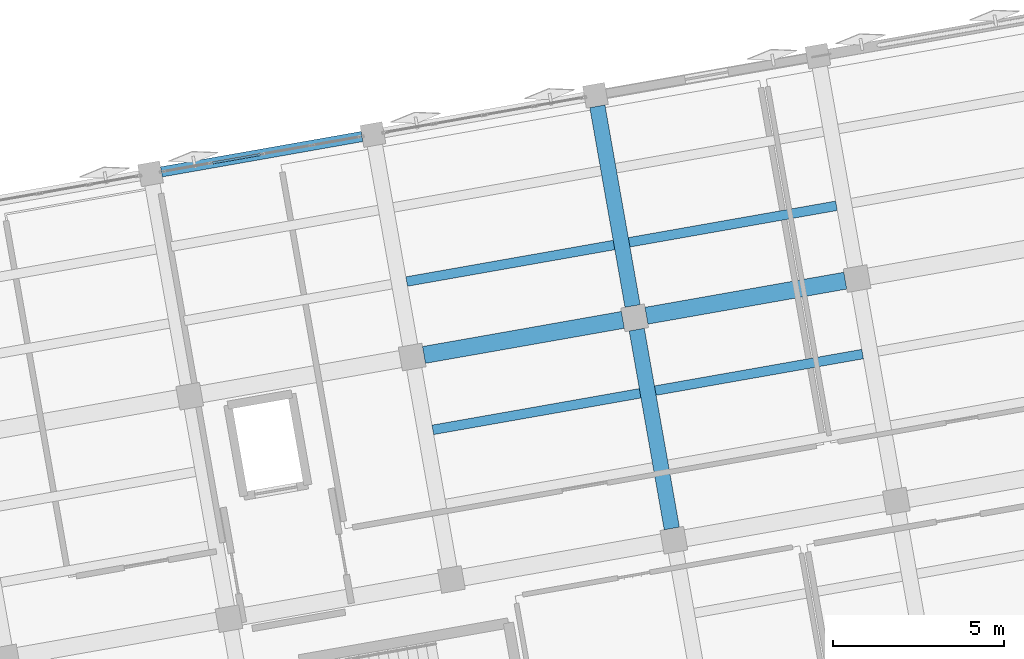
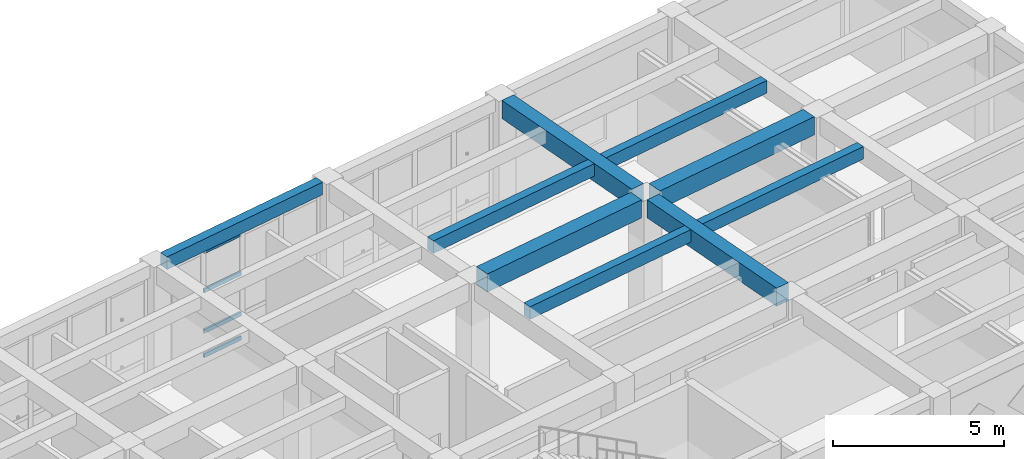
# One storey, part 17 of 67: 9 beams, 4 members, 1 element without a shape of its own.
"""IFC4 building model written with IfcOpenShell, lengths in metres."""

import ifcopenshell
import ifcopenshell.guid

model = None  # the IFC model being written
_history = None  # IfcOwnerHistory: only IFC2X3 demands one
_inside = {}  # id of a spatial element -> (the spatial element, [elements in it])
_under = {}  # id of a project, library or spatial element -> (it, [spatial elements below it])
_declared = {}  # id of a project -> (the project, [libraries it declares])
_typed = {}  # id of a type object -> (the type object, [elements of that type])
_made_of = {}  # id of a material, layer set ... -> (it, [elements and type objects made of it])


def new_model(schema):
    """Start an empty IFC model of exactly this schema.

    Asked for "IFC4X3", IfcOpenShell would pick the latest addendum, in which some entities
    have other attributes; the version numbers below select the first issue.
    IFC2X3 requires an IfcOwnerHistory on every rooted entity: one is made here for all.
    """
    global model, _history
    if schema == "IFC4X3":
        model = ifcopenshell.file(schema_version=(4, 3, 0, 0))
    else:
        model = ifcopenshell.file(schema=schema)
    _inside.clear()
    _under.clear()
    _declared.clear()
    _typed.clear()
    _made_of.clear()
    _history = None
    if model.schema == "IFC2X3":
        org = make("IfcOrganization", Name="unknown")
        user = make(
            "IfcPersonAndOrganization",
            ThePerson=make("IfcPerson", FamilyName="unknown"),
            TheOrganization=org,
        )
        app = make(
            "IfcApplication",
            ApplicationDeveloper=org,
            Version="unknown",
            ApplicationFullName="unknown",
            ApplicationIdentifier="unknown",
        )
        _history = make(
            "IfcOwnerHistory",
            OwningUser=user,
            OwningApplication=app,
            ChangeAction="ADDED",
            CreationDate=0,
        )
    return model


def make(cls, **values):
    """One entity of the class cls with the attributes given. An attribute that is None is left unset."""
    return model.create_entity(
        cls, **{name: value for name, value in values.items() if value is not None}
    )


def rooted(cls, **values):
    """An entity with a GlobalId (a new one), such as an element, a storey or a relation."""
    return make(cls, GlobalId=ifcopenshell.guid.new(), OwnerHistory=_history, **values)


def si_unit(unit_type, name, prefix=None):
    """IfcSIUnit, for example si_unit("LENGTHUNIT", "METRE", prefix="MILLI")."""
    return make("IfcSIUnit", UnitType=unit_type, Prefix=prefix, Name=name)


def assignment(units):
    """IfcUnitAssignment: the units of a project."""
    return None if units is None else make("IfcUnitAssignment", Units=units)


def point(xyz):
    """IfcCartesianPoint."""
    return None if xyz is None else make("IfcCartesianPoint", Coordinates=xyz)


def direction(xyz):
    """IfcDirection."""
    return None if xyz is None else make("IfcDirection", DirectionRatios=xyz)


def frame(location, z_axis=None, x_axis=None):
    """IfcAxis2Placement3D, a coordinate frame: its origin and axes. An axis left out is left unset."""
    return make(
        "IfcAxis2Placement3D",
        Location=point(location),
        Axis=direction(z_axis),
        RefDirection=direction(x_axis),
    )


def frame_2d(location, x_axis=None):
    """IfcAxis2Placement2D, a coordinate frame in the plane: its origin and x axis."""
    return make(
        "IfcAxis2Placement2D", Location=point(location), RefDirection=direction(x_axis)
    )


def origin():
    """The frame at (0, 0, 0) with its axes left unset."""
    return frame((0.0, 0.0, 0.0))


def origin_2d():
    """The frame at (0, 0) in the plane with its x axis left unset."""
    return frame_2d((0.0, 0.0))


def place(relative_to, where):
    """IfcLocalPlacement: puts the frame where relative to a parent placement (None: the world)."""
    return make(
        "IfcLocalPlacement", PlacementRelTo=relative_to, RelativePlacement=where
    )


def context(
    kind, dimensions, precision=None, world=None, true_north=None, identifier=None
):
    """IfcGeometricRepresentationContext, for example the 3D "Model" context."""
    return make(
        "IfcGeometricRepresentationContext",
        ContextIdentifier=identifier,
        ContextType=kind,
        CoordinateSpaceDimension=dimensions,
        Precision=precision,
        WorldCoordinateSystem=world,
        TrueNorth=true_north,
    )


def subcontext(parent, identifier, kind, view, scale=None):
    """IfcGeometricRepresentationSubContext, for example "Body" below "Model"."""
    return make(
        "IfcGeometricRepresentationSubContext",
        ContextIdentifier=identifier,
        ContextType=kind,
        ParentContext=parent,
        TargetScale=scale,
        TargetView=view,
    )


def project(units=None, contexts=None):
    """IfcProject with its units and contexts."""
    return rooted(
        "IfcProject",
        Name="project",
        RepresentationContexts=contexts,
        UnitsInContext=assignment(units),
    )


def spatial(cls, under=None, at=None, **own):
    """A site, building, storey or space (cls), placed at a placement, below another one or the project."""
    s = rooted(cls, ObjectPlacement=at, **own)
    if under is not None:
        _under.setdefault(under.id(), (under, []))[1].append(s)
    return s


def profile(cls, at=None, kind="AREA", **sizes):
    """A parametric profile (cls). Its sizes go by their IFC names, for example OverallWidth=200.0."""
    return make(cls, ProfileType=kind, Position=at, **sizes)


def rectangle(**sizes):
    """IfcRectangleProfileDef."""
    return profile("IfcRectangleProfileDef", **sizes)


def hollow_rectangle(**sizes):
    """IfcRectangleHollowProfileDef."""
    return profile("IfcRectangleHollowProfileDef", **sizes)


def extrude(swept, where, along, depth):
    """IfcExtrudedAreaSolid: the profile swept, set in the frame where, extruded along a direction by depth."""
    return make(
        "IfcExtrudedAreaSolid",
        SweptArea=swept,
        Position=where,
        ExtrudedDirection=direction(along),
        Depth=depth,
    )


def shape(context_of_items, identifier, shape_type, items):
    """IfcShapeRepresentation: the items that make up one representation, for example the "Body"."""
    return make(
        "IfcShapeRepresentation",
        ContextOfItems=context_of_items,
        RepresentationIdentifier=identifier,
        RepresentationType=shape_type,
        Items=items,
    )


def material(Name=None, Category=None):
    """IfcMaterial."""
    return make("IfcMaterial", Name=Name, Category=Category)


def layer(
    of_material, thickness, ventilated=None, Name=None, Category=None, Priority=None
):
    """IfcMaterialLayer: one layer of a wall or slab, of a material (None: an air gap)."""
    return make(
        "IfcMaterialLayer",
        Material=of_material,
        LayerThickness=thickness,
        IsVentilated=ventilated,
        Name=Name,
        Category=Category,
        Priority=Priority,
    )


def layer_set(layers, Name=None):
    """IfcMaterialLayerSet."""
    return make("IfcMaterialLayerSet", MaterialLayers=layers, LayerSetName=Name)


def material_profile(
    of_material, cross_section, Name=None, Category=None, Priority=None
):
    """IfcMaterialProfile: a cross section and its material."""
    return make(
        "IfcMaterialProfile",
        Name=Name,
        Material=of_material,
        Profile=cross_section,
        Priority=Priority,
        Category=Category,
    )


def profile_set(profiles, Name=None, composite=None):
    """IfcMaterialProfileSet."""
    return make(
        "IfcMaterialProfileSet",
        Name=Name,
        MaterialProfiles=profiles,
        CompositeProfile=composite,
    )


def made_of(thing, what):
    """Note that an element or type object is made of a material, layer set ...; save() writes the relation."""
    if what is not None:
        _made_of.setdefault(what.id(), (what, []))[1].append(thing)
    return thing


def type_object(cls, material=None, **own):
    """A type object (cls), such as IfcWallType, which elements share."""
    return made_of(rooted(cls, **own), material)


def element(
    cls,
    number,
    at=None,
    inside=None,
    cuts=None,
    type_object=None,
    material=None,
    context=None,
    identifier="Body",
    shape_type=None,
    held_by="IfcProductDefinitionShape",
    body=None,
    shapes=None,
    **own,
):
    """One element of the class cls, such as IfcWall. Its Tag is "e" and its number.

    at: its placement. inside: the storey or other place that contains it. cuts: it is an
    opening in that element (IfcRelVoidsElement). A single representation is given by context,
    identifier, shape_type and body (its items); several are given by shapes. held_by: the class
    of the entity that holds the representations. save() writes the other relations.
    """
    e = rooted(cls, Tag="e%d" % number, ObjectPlacement=at, **own)
    if body is not None:
        shapes = [shape(context, identifier, shape_type, body)]
    if shapes is not None:
        e.Representation = make(held_by, Representations=shapes)
    if inside is not None:
        _inside.setdefault(inside.id(), (inside, []))[1].append(e)
    if cuts is not None:
        rooted(
            "IfcRelVoidsElement", RelatingBuildingElement=cuts, RelatedOpeningElement=e
        )
    if type_object is not None:
        _typed.setdefault(type_object.id(), (type_object, []))[1].append(e)
    return made_of(e, material)


def aggregate(whole, parts):
    """IfcRelAggregates: a whole, such as a stair, and the parts it consists of."""
    return rooted("IfcRelAggregates", RelatingObject=whole, RelatedObjects=parts)


def save(model, path):
    """Write the relations noted so far, then the file.

    IfcRelAggregates (storeys below a building ...), IfcRelContainedInSpatialStructure (elements
    in a storey), IfcRelDefinesByType, IfcRelAssociatesMaterial and IfcRelDeclares: one each for
    every whole, place, type object, material and project.
    """
    for whole, parts in _under.values():
        aggregate(whole, parts)
    for where, things in _inside.values():
        rooted(
            "IfcRelContainedInSpatialStructure",
            RelatedElements=things,
            RelatingStructure=where,
        )
    for kind, things in _typed.values():
        rooted("IfcRelDefinesByType", RelatedObjects=things, RelatingType=kind)
    for what, things in _made_of.values():
        rooted("IfcRelAssociatesMaterial", RelatedObjects=things, RelatingMaterial=what)
    for by, libraries in _declared.values():
        rooted("IfcRelDeclares", RelatingContext=by, RelatedDefinitions=libraries)
    model.write(path)


model = new_model("IFC4")

# Units and contexts
model_context = context("Model", 3, precision=1e-05, world=origin(), true_north=direction((0.0, 1.0)))
body_context = subcontext(model_context, "Body", "Model", "MODEL_VIEW")
ifc_project = project(units=[si_unit("LENGTHUNIT", "METRE"), si_unit("AREAUNIT", "SQUARE_METRE"), si_unit("VOLUMEUNIT", "CUBIC_METRE"), si_unit("PLANEANGLEUNIT", "RADIAN"), si_unit("MASSUNIT", "GRAM", prefix="KILO")], contexts=[model_context])

# Site, building, storey
site_placement = place(None, origin())
site = spatial("IfcSite", under=ifc_project, at=site_placement, CompositionType="ELEMENT")
building_placement = place(site_placement, origin())
building = spatial("IfcBuilding", under=site, at=building_placement, Name="Kharisveld Research Institute", CompositionType="ELEMENT")
storey_placement = place(building_placement, frame((0.0, 0.0, 9.60009765625)))
storey = spatial("IfcBuildingStorey", under=building, at=storey_placement, Name="L02", CompositionType="ELEMENT", Elevation=9.60009765625)

# Beams
ifc_material_1 = material(Name="Concrete C40/50", Category="concrete")
ifc_material_profile_1 = material_profile(ifc_material_1, rectangle(XDim=0.449951171875, YDim=0.64990234375, at=origin_2d()))
ifc_profile_set_1 = profile_set([ifc_material_profile_1], Name="Concrete C40/50")
beam_type_1 = type_object("IfcBeamType", Name="BM_RC_450x650", PredefinedType="BEAM", material=ifc_profile_set_1)
beam_1_placement = place(storey_placement, frame((29.9921875, 46.438720703125, 3.994873046875), z_axis=(-0.173672023659, 0.984803548023, 0.0), x_axis=(-0.984803548023, -0.173672023659, 0.0)))
element("IfcBeam", 1, at=beam_1_placement, inside=storey, type_object=beam_type_1, Name="BM:V1:L02:V4_1", PredefinedType="BEAM", context=body_context, shape_type="SweptSolid", body=[
    extrude(rectangle(XDim=0.449951171875, YDim=0.64990234375, at=origin_2d()), origin(), (0.0, 0.0, 1.0), 5.89990234375),
])
beam_2_placement = place(storey_placement, frame((28.845947265625, 52.9384765625, 3.994873046875), z_axis=(-0.173639592071, 0.984809266846, 0.0), x_axis=(-0.984809266846, -0.173639592071, 0.0)))
element("IfcBeam", 2, at=beam_2_placement, inside=storey, type_object=beam_type_1, Name="BM:V1:L02:V4_2", PredefinedType="BEAM", context=body_context, shape_type="SweptSolid", body=[
    extrude(rectangle(XDim=0.449951171875, YDim=0.64990234375, at=origin_2d()), origin(), (0.0, 0.0, 1.0), 5.925048828125),
])
ifc_material_2 = material(Name="Concrete C40/50", Category="concrete")
ifc_material_profile_2 = material_profile(ifc_material_2, rectangle(XDim=0.5, YDim=0.64990234375, at=origin_2d()))
ifc_profile_set_2 = profile_set([ifc_material_profile_2], Name="Concrete C40/50")
beam_type_2 = type_object("IfcBeamType", Name="BM_RC_500x650", PredefinedType="BEAM", material=ifc_profile_set_2)
for number, where, z_axis, x_axis, name in (
    (3, (22.751708984375, 51.508544921875, 3.994873046875), (0.984810624601, 0.173631891291, 0.0), (-0.173631891291, 0.984810624601, 0.0), "BM:V1:L02:U3_2"),
    (4, (29.25146484375, 52.654541015625, 3.994873046875), (0.984810624601, 0.173631891291, 0.0), (-0.173631891291, 0.984810624601, 0.0), "BM:V1:L02:U4_2"),
):
    element("IfcBeam", number, at=place(storey_placement, frame(where, z_axis=z_axis, x_axis=x_axis)), inside=storey, type_object=beam_type_2, Name=name, PredefinedType="BEAM", context=body_context, shape_type="SweptSolid", body=[
        extrude(rectangle(XDim=0.5, YDim=0.64990234375, at=origin_2d()), origin(), (0.0, 0.0, 1.0), 5.89990234375),
    ])

# Curtain wall, members
ifc_material_3 = material(Name="Thermally Broken Aluminium Curtain Wall", Category="aluminium")
ifc_layer = layer(ifc_material_3, 0.159912109375)
ifc_layer_set = layer_set([ifc_layer], Name="CW_SYS_03")
curtain_wall_type = type_object("IfcCurtainWallType", Name="CW_SYS_03", PredefinedType="NOTDEFINED", material=ifc_layer_set)
curtain_wall_placement = place(storey_placement, origin())
curtain_wall = element("IfcCurtainWall", 5, at=curtain_wall_placement, inside=storey, type_object=curtain_wall_type, Name="CW:V1:L02:N2", PredefinedType="NOTDEFINED")
ifc_material_4 = material(Name="Anodised Aluminium AW-6063-T6", Category="aluminium")
ifc_material_profile_3 = material_profile(ifc_material_4, hollow_rectangle(XDim=0.06494140625, YDim=0.139892578125, WallThickness=0.00390625, at=origin_2d()))
ifc_profile_set_3 = profile_set([ifc_material_profile_3], Name="Anodised Aluminium AW-6063-T6")
member_type = type_object("IfcMemberType", Name="CW_TRN_140", PredefinedType="USERDEFINED", material=ifc_profile_set_3)
member_1_placement = place(storey_placement, frame((16.578125, 57.121826171875, 0.032470703125), z_axis=(0.984807780811, 0.17364802001, 0.0), x_axis=(-0.17364802001, 0.984807780811, 0.0)))
member_1 = element("IfcMember", 6, at=member_1_placement, type_object=member_type, Name="CW-03 transom 2.1", ObjectType="TRANSOM", PredefinedType="USERDEFINED", context=body_context, shape_type="SweptSolid", body=[
    extrude(hollow_rectangle(XDim=0.06494140625, YDim=0.139892578125, WallThickness=0.00390625, at=origin_2d()), origin(), (0.0, 0.0, 1.0), 1.419921875),
])
member_2_placement = place(storey_placement, frame((16.578125, 57.121826171875, 0.89990234375), z_axis=(0.984807780811, 0.17364802001, 0.0), x_axis=(-0.17364802001, 0.984807780811, 0.0)))
member_2 = element("IfcMember", 7, at=member_2_placement, type_object=member_type, Name="CW-03 transom 2.2", ObjectType="TRANSOM", PredefinedType="USERDEFINED", context=body_context, shape_type="SweptSolid", body=[
    extrude(hollow_rectangle(XDim=0.06494140625, YDim=0.139892578125, WallThickness=0.00390625, at=origin_2d()), origin(), (0.0, 0.0, 1.0), 1.419921875),
])
member_3_placement = place(storey_placement, frame((16.578125, 57.121826171875, 2.349853515625), z_axis=(0.984807780811, 0.17364802001, 0.0), x_axis=(-0.17364802001, 0.984807780811, 0.0)))
member_3 = element("IfcMember", 8, at=member_3_placement, type_object=member_type, Name="CW-03 transom 2.3", ObjectType="TRANSOM", PredefinedType="USERDEFINED", context=body_context, shape_type="SweptSolid", body=[
    extrude(hollow_rectangle(XDim=0.06494140625, YDim=0.139892578125, WallThickness=0.00390625, at=origin_2d()), origin(), (0.0, 0.0, 1.0), 1.419921875),
])
member_4_placement = place(storey_placement, frame((16.578125, 57.121826171875, 3.747314453125), z_axis=(0.984807780811, 0.17364802001, 0.0), x_axis=(-0.17364802001, 0.984807780811, 0.0)))
member_4 = element("IfcMember", 9, at=member_4_placement, type_object=member_type, Name="CW-03 transom 2.4", ObjectType="TRANSOM", PredefinedType="USERDEFINED", context=body_context, shape_type="SweptSolid", body=[
    extrude(hollow_rectangle(XDim=0.06494140625, YDim=0.139892578125, WallThickness=0.00390625, at=origin_2d()), origin(), (0.0, 0.0, 1.0), 1.419921875),
])
aggregate(curtain_wall, [member_1, member_2, member_3, member_4])

# Beams
ifc_material_5 = material(Name="Concrete C40/50", Category="concrete")
ifc_material_profile_4 = material_profile(ifc_material_5, rectangle(XDim=0.300048828125, YDim=0.449951171875, at=origin_2d()))
ifc_profile_set_4 = profile_set([ifc_material_profile_4], Name="Concrete C40/50")
beam_type_3 = type_object("IfcBeamType", Name="SP_RC_300x450", PredefinedType="SPANDREL", material=ifc_profile_set_4)
beam_3_placement = place(storey_placement, frame((15.081298828125, 56.857666015625, 4.094970703125), z_axis=(0.984807920462, 0.173647228007, 0.0), x_axis=(-0.173647228007, 0.984807920462, 0.0)))
element("IfcBeam", 10, at=beam_3_placement, inside=storey, type_object=beam_type_3, Name="BM:V1:L02:U2_3", PredefinedType="SPANDREL", context=body_context, shape_type="SweptSolid", body=[
    extrude(rectangle(XDim=0.300048828125, YDim=0.449951171875, at=origin_2d()), origin(), (0.0, 0.0, 1.0), 5.949951171875),
])
ifc_material_6 = material(Name="Concrete C40/50", Category="concrete")
ifc_material_profile_5 = material_profile(ifc_material_6, rectangle(XDim=0.280029296875, YDim=0.449951171875, at=origin_2d()))
ifc_profile_set_5 = profile_set([ifc_material_profile_5], Name="Concrete C40/50")
beam_type_4 = type_object("IfcBeamType", Name="WB_RC_280x450", PredefinedType="JOIST", material=ifc_profile_set_5)
beam_4_placement = place(storey_placement, frame((23.0107421875, 49.320068359375, 4.094970703125), z_axis=(0.9848019372, 0.173681157546, 0.0), x_axis=(-0.173681157546, 0.9848019372, 0.0)))
element("IfcBeam", 11, at=beam_4_placement, inside=storey, type_object=beam_type_4, Name="BM:V1:L02:J_3_1_R2", PredefinedType="JOIST", context=body_context, shape_type="SweptSolid", body=[
    extrude(rectangle(XDim=0.280029296875, YDim=0.449951171875, at=origin_2d()), origin(), (0.0, 0.0, 1.0), 6.14990234375),
])
beam_5_placement = place(storey_placement, frame((22.24658203125, 53.6533203125, 4.094970703125), z_axis=(0.984809923515, 0.173635867682, 0.0), x_axis=(-0.173635867682, 0.984809923515, 0.0)))
element("IfcBeam", 12, at=beam_5_placement, inside=storey, type_object=beam_type_4, Name="BM:V1:L02:J_3_2_R1", PredefinedType="JOIST", context=body_context, shape_type="SweptSolid", body=[
    extrude(rectangle(XDim=0.280029296875, YDim=0.449951171875, at=origin_2d()), origin(), (0.0, 0.0, 1.0), 6.150146484375),
])
beam_6_placement = place(storey_placement, frame((29.510498046875, 50.46630859375, 4.094970703125), z_axis=(0.984808726596, 0.17364265611, 0.0), x_axis=(-0.17364265611, 0.984808726596, 0.0)))
element("IfcBeam", 13, at=beam_6_placement, inside=storey, type_object=beam_type_4, Name="BM:V1:L02:J_4_1_R2", PredefinedType="JOIST", context=body_context, shape_type="SweptSolid", body=[
    extrude(rectangle(XDim=0.280029296875, YDim=0.449951171875, at=origin_2d()), origin(), (0.0, 0.0, 1.0), 6.14990234375),
])
beam_7_placement = place(storey_placement, frame((28.746337890625, 54.79931640625, 4.094970703125), z_axis=(0.984803134643, 0.173674367706, 0.0), x_axis=(-0.173674367706, 0.984803134643, 0.0)))
element("IfcBeam", 14, at=beam_7_placement, inside=storey, type_object=beam_type_4, Name="BM:V1:L02:J_4_2_R1", PredefinedType="JOIST", context=body_context, shape_type="SweptSolid", body=[
    extrude(rectangle(XDim=0.280029296875, YDim=0.449951171875, at=origin_2d()), origin(), (0.0, 0.0, 1.0), 6.150146484375),
])

save(model, "model.ifc")
